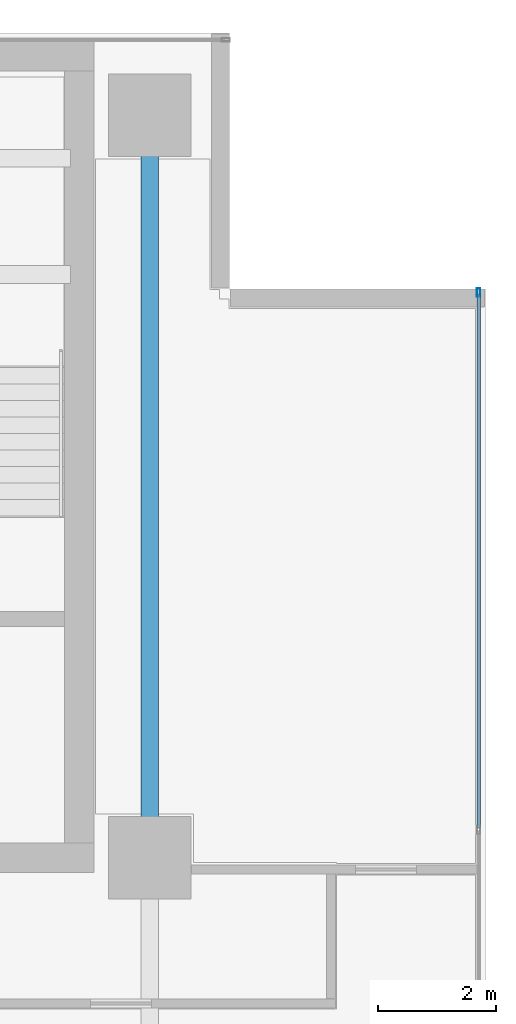
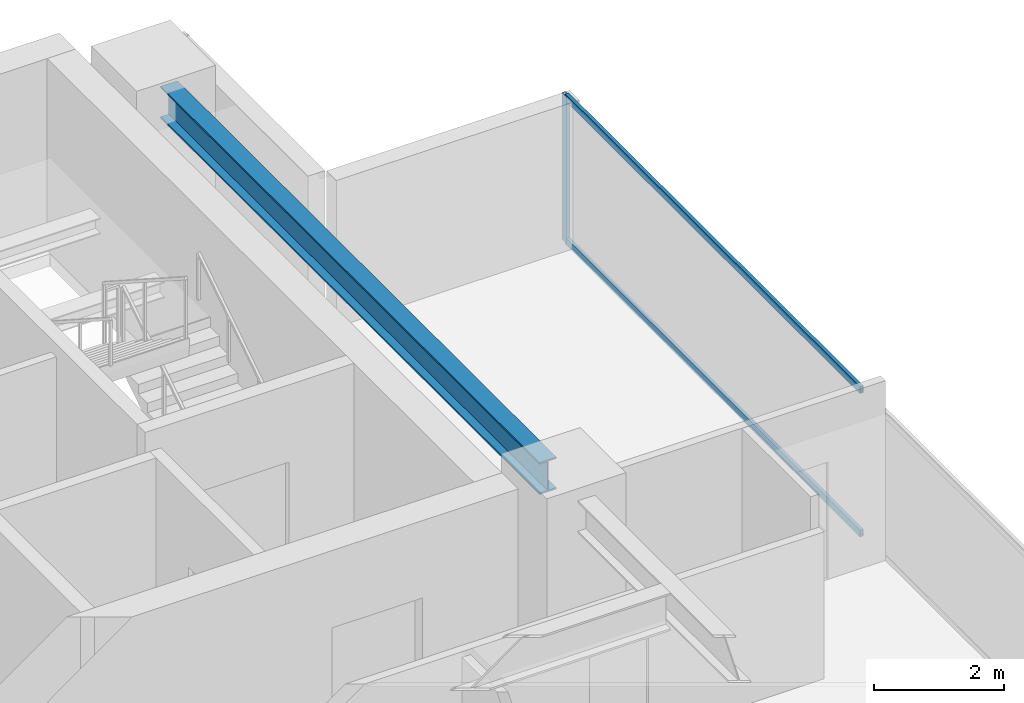
# One storey, part 14 of 26: 3 members, 1 beam, 1 element without a shape of its own.
"""IFC4 building model written with IfcOpenShell, lengths in metres."""

from ifc_helpers import new_model, si_unit, direction, frame, origin, origin_2d, place, context, subcontext, project, spatial, hollow_rectangle, i_section, extrude, source, transform, mapped, material, layer, layer_set, material_profile, profile_set, type_object, element, aggregate, save


model = new_model("IFC4")

# Units and contexts
model_context = context("Model", 3, precision=1e-05, world=origin(), true_north=direction((0.0, 1.0)))
body_context = subcontext(model_context, "Body", "Model", "MODEL_VIEW")
ifc_project = project(units=[si_unit("LENGTHUNIT", "METRE"), si_unit("AREAUNIT", "SQUARE_METRE"), si_unit("VOLUMEUNIT", "CUBIC_METRE"), si_unit("PLANEANGLEUNIT", "RADIAN"), si_unit("MASSUNIT", "GRAM", prefix="KILO")], contexts=[model_context])

# Site, building, storey
site_placement = place(None, origin())
site = spatial("IfcSite", under=ifc_project, at=site_placement, CompositionType="ELEMENT")
building_placement = place(site_placement, origin())
building = spatial("IfcBuilding", under=site, at=building_placement, Name="Sumidabori Civic Tower", CompositionType="ELEMENT")
storey_placement = place(building_placement, frame((0.0, 0.0, 243.199951171875)))
storey = spatial("IfcBuildingStorey", under=building, at=storey_placement, Name="L63", CompositionType="ELEMENT", Elevation=243.199951171875)

# Beam
ifc_material_1 = material(Name="Steel SN490", Category="steel")
ifc_material_profile_1 = material_profile(ifc_material_1, i_section(OverallWidth=0.300048828125, OverallDepth=0.60009765625, WebThickness=0.015380859375, FlangeThickness=0.030029296875, at=origin_2d()), Name="HE 600 B")
ifc_profile_set_1 = profile_set([ifc_material_profile_1], Name="Steel SN490")
beam_type = type_object("IfcBeamType", Name="BM-GIRD-600", PredefinedType="BEAM", material=ifc_profile_set_1)
shared_shape_1 = source(origin(), body_context, "Body", "SweptSolid", [
    extrude(i_section(OverallWidth=0.300048828125, OverallDepth=0.60009765625, WebThickness=0.015380859375, FlangeThickness=0.030029296875, at=origin_2d()), origin(), (0.0, 0.0, 1.0), 11.64013671875),
])
beam_placement = place(storey_placement, frame((16.800048828125, 10.679931640625, 3.070068359375), z_axis=(0.0, 1.0, 0.0), x_axis=(-1.0, 0.0, 0.0)))
element("IfcBeam", 1, at=beam_placement, inside=storey, type_object=beam_type, Name="Primary Girder L63 GY-17", PredefinedType="BEAM", context=body_context, shape_type="MappedRepresentation", body=[
    mapped(shared_shape_1, transform((0.0, 0.0, 0.0), x_axis=(1.0, 0.0, 0.0), y_axis=(0.0, 1.0, 0.0), z_axis=(0.0, 0.0, 1.0), scale=1.0)),
])

# Curtain wall, members
ifc_material_2 = material(Name="Anodised Bronze Aluminium AW-6063-T6", Category="aluminium")
ifc_layer = layer(ifc_material_2, 0.179931640625, Name="Anodised Bronze Aluminium AW-6063-T6")
ifc_layer_set = layer_set([ifc_layer], Name="Anodised Bronze Aluminium AW-6063-T6")
curtain_wall_type = type_object("IfcCurtainWallType", Name="CW-SYS-5", PredefinedType="NOTDEFINED", material=ifc_layer_set)
curtain_wall_placement = place(storey_placement, origin())
curtain_wall = element("IfcCurtainWall", 2, at=curtain_wall_placement, inside=storey, type_object=curtain_wall_type, Name="Curtain Wall CW:L63:R04", PredefinedType="NOTDEFINED")
ifc_material_profile_2 = material_profile(ifc_material_2, hollow_rectangle(XDim=0.06005859375, YDim=0.139892578125, WallThickness=0.0048828125, at=origin_2d()), Name="ALU MULLION 140x60")
ifc_profile_set_2 = profile_set([ifc_material_profile_2], Name="Anodised Bronze Aluminium AW-6063-T6")
member_type_1 = type_object("IfcMemberType", Name="CW-MUL-140", PredefinedType="MULLION", material=ifc_profile_set_2)
shared_shape_2 = source(origin(), body_context, "Body", "SweptSolid", [
    extrude(hollow_rectangle(XDim=0.06005859375, YDim=0.139892578125, WallThickness=0.0048828125, at=origin_2d()), origin(), (0.0, 0.0, 1.0), 2.75),
])
member_1_placement = place(storey_placement, frame((22.3798828125, 19.7900390625, 0.0), z_axis=(0.0, 0.0, 1.0), x_axis=(-1.0, 0.0, 0.0)))
member_1 = element("IfcMember", 3, at=member_1_placement, type_object=member_type_1, Name="CW-5 mullion 4", PredefinedType="MULLION", context=body_context, shape_type="MappedRepresentation", body=[
    mapped(shared_shape_2, transform((0.0, 0.0, 0.0), x_axis=(1.0, 0.0, 0.0), y_axis=(0.0, 1.0, 0.0), z_axis=(0.0, 0.0, 1.0), scale=1.0)),
])
ifc_material_profile_3 = material_profile(ifc_material_2, hollow_rectangle(XDim=0.06005859375, YDim=0.1298828125, WallThickness=0.0048828125, at=origin_2d()), Name="ALU TRANSOM 130x60")
ifc_profile_set_3 = profile_set([ifc_material_profile_3], Name="Anodised Bronze Aluminium AW-6063-T6")
member_type_2 = type_object("IfcMemberType", Name="CW-TRN-130", PredefinedType="USERDEFINED", material=ifc_profile_set_3)
shared_shape_3 = source(origin(), body_context, "Body", "SweptSolid", [
    extrude(hollow_rectangle(XDim=0.06005859375, YDim=0.1298828125, WallThickness=0.0048828125, at=origin_2d()), origin(), (0.0, 0.0, 1.0), 9.056640625),
])
member_2_placement = place(storey_placement, frame((22.3798828125, 10.703369140625, 0.030029296875), z_axis=(0.0, 1.0, 0.0), x_axis=(-1.0, 0.0, 0.0)))
member_2 = element("IfcMember", 4, at=member_2_placement, type_object=member_type_2, Name="CW-5 transom 3.1", ObjectType="TRANSOM", PredefinedType="USERDEFINED", context=body_context, shape_type="MappedRepresentation", body=[
    mapped(shared_shape_3, transform((0.0, 0.0, 0.0), x_axis=(1.0, 0.0, 0.0), y_axis=(0.0, 1.0, 0.0), z_axis=(0.0, 0.0, 1.0), scale=1.0)),
])
member_3_placement = place(storey_placement, frame((22.3798828125, 10.703369140625, 2.719970703125), z_axis=(0.0, 1.0, 0.0), x_axis=(-1.0, 0.0, 0.0)))
member_3 = element("IfcMember", 5, at=member_3_placement, type_object=member_type_2, Name="CW-5 transom 3.2", ObjectType="TRANSOM", PredefinedType="USERDEFINED", context=body_context, shape_type="MappedRepresentation", body=[
    mapped(shared_shape_3, transform((0.0, 0.0, 0.0), x_axis=(1.0, 0.0, 0.0), y_axis=(0.0, 1.0, 0.0), z_axis=(0.0, 0.0, 1.0), scale=1.0)),
])
aggregate(curtain_wall, [member_1, member_2, member_3])

save(model, "model.ifc")
